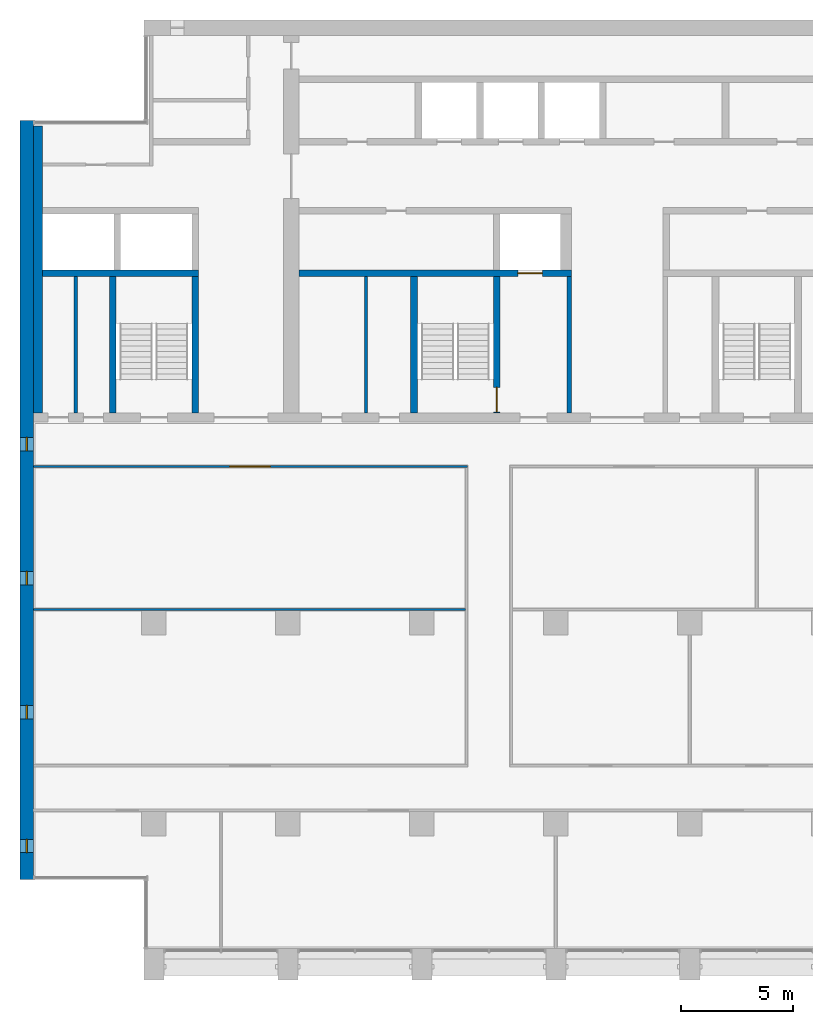
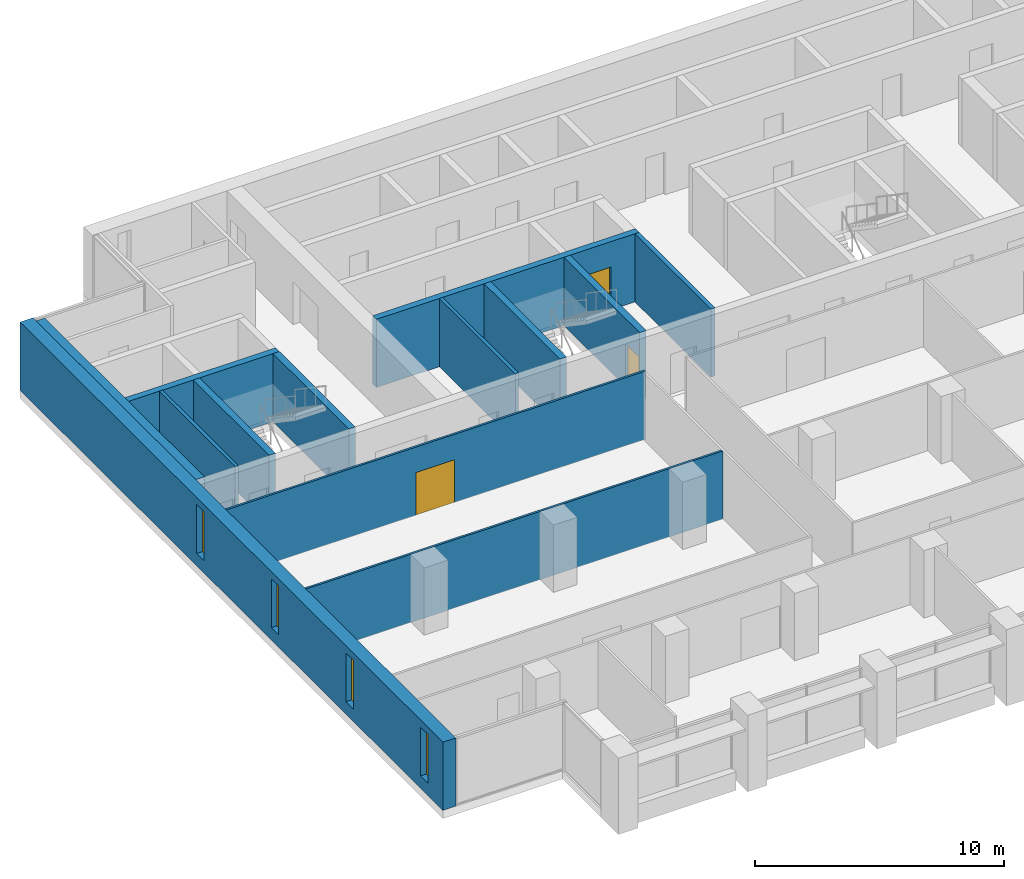
# One storey, part 8 of 17: 13 walls, 4 windows, 3 doors, 7 openings.
"""IFC4 building model written with IfcOpenShell, lengths in metres."""

from ifc_helpers import new_model, si_unit, direction, frame, frame_2d, origin, place, context, subcontext, project, spatial, rectangle, extrude, material, layer, layer_set, type_object, element, fill, save


model = new_model("IFC4")

# Units and contexts
model_context = context("Model", 3, precision=1e-05, world=origin(), true_north=direction((0.0, 1.0)))
body_context = subcontext(model_context, "Body", "Model", "MODEL_VIEW")
ifc_project = project(units=[si_unit("LENGTHUNIT", "METRE"), si_unit("AREAUNIT", "SQUARE_METRE"), si_unit("VOLUMEUNIT", "CUBIC_METRE"), si_unit("PLANEANGLEUNIT", "RADIAN"), si_unit("MASSUNIT", "GRAM", prefix="KILO")], contexts=[model_context])

# Site, building, storey
site_placement = place(None, origin())
site = spatial("IfcSite", under=ifc_project, at=site_placement, CompositionType="ELEMENT")
building_placement = place(site_placement, origin())
building = spatial("IfcBuilding", under=site, at=building_placement, Name="Calvaro Tower", CompositionType="ELEMENT")
storey_placement = place(building_placement, frame((0.0, 0.0, 189.25)))
storey = spatial("IfcBuildingStorey", under=building, at=storey_placement, Name="L47", CompositionType="ELEMENT", Elevation=189.25)

# Walls
ifc_material_1 = material(Name="Blockwork partition", Category="masonry")
ifc_layer_1 = layer(ifc_material_1, 0.14990234375)
ifc_layer_set_1 = layer_set([ifc_layer_1], Name="Blockwork partition")
wall_type_1 = type_object("IfcWallType", Name="Core partition 150 EI 60", PredefinedType="PARTITIONING", material=ifc_layer_set_1)
wall_1_placement = place(storey_placement, frame((8.5, 28.39990234375, 0.0), z_axis=(0.0, 0.0, 1.0), x_axis=(0.0, 1.0, 0.0)))
element("IfcWall", 1, at=wall_1_placement, inside=storey, type_object=wall_type_1, Name="Core partition", PredefinedType="PARTITIONING", context=body_context, shape_type="SweptSolid", body=[
    extrude(rectangle(XDim=6.10009765625, YDim=0.14990234375, at=frame_2d((3.050048828125, 0.0))), origin(), (0.0, 0.0, 1.0), 3.35009765625),
])
ifc_material_2 = material(Name="Blockwork partition", Category="masonry")
ifc_layer_2 = layer(ifc_material_2, 0.14990234375)
ifc_layer_set_2 = layer_set([ifc_layer_2], Name="Blockwork partition")
wall_type_2 = type_object("IfcWallType", Name="Core partition 150 REI 120", PredefinedType="PARTITIONING", material=ifc_layer_set_2)
wall_2_placement = place(storey_placement, frame((21.5, 28.39990234375, 0.0), z_axis=(0.0, 0.0, 1.0), x_axis=(0.0, 1.0, 0.0)))
element("IfcWall", 2, at=wall_2_placement, inside=storey, type_object=wall_type_2, Name="Core partition", PredefinedType="PARTITIONING", context=body_context, shape_type="SweptSolid", body=[
    extrude(rectangle(XDim=6.10009765625, YDim=0.14990234375, at=frame_2d((3.050048828125, 0.0))), origin(), (0.0, 0.0, 1.0), 3.35009765625),
])
ifc_material_3 = material(Name="Blockwork partition", Category="masonry")
ifc_layer_3 = layer(ifc_material_3, 0.199951171875)
ifc_layer_set_3 = layer_set([ifc_layer_3], Name="Blockwork partition")
wall_type_3 = type_object("IfcWallType", Name="Core partition 200 REI 120", PredefinedType="PARTITIONING", material=ifc_layer_set_3)
wall_3_placement = place(storey_placement, frame((30.60009765625, 28.39990234375, 0.0), z_axis=(0.0, 0.0, 1.0), x_axis=(0.0, 1.0, 0.0)))
element("IfcWall", 3, at=wall_3_placement, inside=storey, type_object=wall_type_3, Name="Core partition", PredefinedType="PARTITIONING", context=body_context, shape_type="SweptSolid", body=[
    extrude(rectangle(XDim=6.10009765625, YDim=0.199951171875, at=frame_2d((3.050048828125, 0.0))), origin(), (0.0, 0.0, 1.0), 3.35009765625),
])
ifc_material_4 = material(Name="Concrete C50/60", Category="concrete")
ifc_layer_4 = layer(ifc_material_4, 0.300048828125)
ifc_layer_set_4 = layer_set([ifc_layer_4], Name="Concrete C50/60")
wall_type_4 = type_object("IfcWallType", Name="Core wall C50/60 300", PredefinedType="SHEAR", material=ifc_layer_set_4)
for number, where, z_axis, x_axis, name in (
    (4, (10.14990234375, 28.39990234375, 0.0), (0.0, 0.0, 1.0), (0.0, 1.0, 0.0), "Core wall, stair enclosure"),
    (5, (13.85009765625, 28.39990234375, 0.0), (0.0, 0.0, 1.0), (0.0, 1.0, 0.0), "Core wall, stair enclosure"),
    (6, (23.64990234375, 28.39990234375, 0.0), (0.0, 0.0, 1.0), (0.0, 1.0, 0.0), "Core wall, stair enclosure"),
):
    element("IfcWall", number, at=place(storey_placement, frame(where, z_axis=z_axis, x_axis=x_axis)), inside=storey, type_object=wall_type_4, Name=name, PredefinedType="SHEAR", context=body_context, shape_type="SweptSolid", body=[
        extrude(rectangle(XDim=6.10009765625, YDim=0.300048828125, at=frame_2d((3.050048828125, 0.0))), origin(), (0.0, 0.0, 1.0), 3.35009765625),
    ])

# Wall, opening, door
wall_4_placement = place(storey_placement, frame((27.35009765625, 28.39990234375, 0.0), z_axis=(0.0, 0.0, 1.0), x_axis=(0.0, 1.0, 0.0)))
wall_4 = element("IfcWall", 7, at=wall_4_placement, inside=storey, type_object=wall_type_4, Name="Core wall, stair enclosure", PredefinedType="SHEAR", context=body_context, shape_type="SweptSolid", body=[
    extrude(rectangle(XDim=6.10009765625, YDim=0.300048828125, at=frame_2d((3.050048828125, 0.0))), origin(), (0.0, 0.0, 1.0), 3.35009765625),
])
opening_1_placement = place(wall_4_placement, frame((0.050048828125, 0.0, 0.0)))
opening_1 = element("IfcOpeningElement", 8, at=opening_1_placement, cuts=wall_4, Name="Opening FD11D", PredefinedType="OPENING", context=body_context, shape_type="SweptSolid", body=[
    extrude(rectangle(XDim=1.10009765625, YDim=2.10009765625, at=frame_2d((0.550048828125, 1.050048828125))), frame((0.0, 0.159912109375, 0.0), z_axis=(0.0, -1.0, 0.0), x_axis=(1.0, 0.0, 0.0)), (0.0, 0.0, 1.0), 0.320068359375),
])
ifc_material_5 = material(Name="Steel door set", Category="steel")
door_type_1 = type_object("IfcDoorType", Name="Fire door 1100 FD30S", OperationType="SINGLE_SWING_LEFT", PredefinedType="DOOR", material=ifc_material_5)
door_1_placement = place(opening_1_placement, origin())
door_1 = element("IfcDoor", 9, at=door_1_placement, inside=storey, type_object=door_type_1, Name="Fire door", OperationType="SINGLE_SWING_LEFT", OverallHeight=2.10009765625, OverallWidth=1.10009765625, PredefinedType="DOOR", context=body_context, shape_type="SweptSolid", body=[
    extrude(rectangle(XDim=1.10009765625, YDim=2.10009765625, at=frame_2d((0.550048828125, 1.050048828125))), frame((0.0, 0.02490234375, 0.0), z_axis=(0.0, -1.0, 0.0), x_axis=(1.0, 0.0, 0.0)), (0.0, 0.0, 1.0), 0.050048828125),
])
fill(opening_1, door_1)

# Wall
wall_5_placement = place(storey_placement, frame((7.0, 34.64990234375, 0.0), z_axis=(0.0, 0.0, 1.0), x_axis=(1.0, 0.0, 0.0)))
element("IfcWall", 10, at=wall_5_placement, inside=storey, type_object=wall_type_4, Name="Core wall, lift shaft", PredefinedType="SHEAR", context=body_context, shape_type="SweptSolid", body=[
    extrude(rectangle(XDim=7.0, YDim=0.300048828125, at=frame_2d((3.5, 0.0))), origin(), (0.0, 0.0, 1.0), 3.35009765625),
])

# Wall, opening, door
wall_6_placement = place(storey_placement, frame((18.5, 34.64990234375, 0.0), z_axis=(0.0, 0.0, 1.0), x_axis=(1.0, 0.0, 0.0)))
wall_6 = element("IfcWall", 11, at=wall_6_placement, inside=storey, type_object=wall_type_4, Name="Core wall, lift shaft", PredefinedType="SHEAR", context=body_context, shape_type="SweptSolid", body=[
    extrude(rectangle(XDim=12.199951171875, YDim=0.300048828125, at=frame_2d((6.10009765625, 0.0))), origin(), (0.0, 0.0, 1.0), 3.35009765625),
])
opening_2_placement = place(wall_6_placement, frame((9.800048828125, 0.0, 0.0)))
opening_2 = element("IfcOpeningElement", 12, at=opening_2_placement, cuts=wall_6, Name="Opening FF1", PredefinedType="OPENING", context=body_context, shape_type="SweptSolid", body=[
    extrude(rectangle(XDim=1.10009765625, YDim=2.10009765625, at=frame_2d((0.550048828125, 1.050048828125))), frame((0.0, 0.159912109375, 0.0), z_axis=(0.0, -1.0, 0.0), x_axis=(1.0, 0.0, 0.0)), (0.0, 0.0, 1.0), 0.320068359375),
])
ifc_material_6 = material(Name="Stainless steel", Category="steel")
door_type_2 = type_object("IfcDoorType", Name="Landing door 1100 E 60", OperationType="SLIDING_TO_LEFT", PredefinedType="DOOR", material=ifc_material_6)
door_2_placement = place(opening_2_placement, origin())
door_2 = element("IfcDoor", 13, at=door_2_placement, inside=storey, type_object=door_type_2, Name="Landing door FF1", OperationType="SLIDING_TO_LEFT", OverallHeight=2.10009765625, OverallWidth=1.10009765625, PredefinedType="DOOR", context=body_context, shape_type="SweptSolid", body=[
    extrude(rectangle(XDim=1.10009765625, YDim=2.10009765625, at=frame_2d((0.550048828125, 1.050048828125))), frame((0.0, 0.02490234375, 0.0), z_axis=(0.0, -1.0, 0.0), x_axis=(1.0, 0.0, 0.0)), (0.0, 0.0, 1.0), 0.050048828125),
])
fill(opening_2, door_2)

# Wall
ifc_material_7 = material(Name="Concrete C50/60", Category="concrete")
ifc_layer_5 = layer(ifc_material_7, 0.39990234375)
ifc_layer_set_5 = layer_set([ifc_layer_5], Name="Concrete C50/60")
wall_type_5 = type_object("IfcWallType", Name="Core wall C50/60 400", PredefinedType="SHEAR", material=ifc_layer_set_5)
wall_7_placement = place(storey_placement, frame((6.800048828125, 28.39990234375, 0.0), z_axis=(0.0, 0.0, 1.0), x_axis=(0.0, 1.0, 0.0)))
element("IfcWall", 14, at=wall_7_placement, inside=storey, type_object=wall_type_5, Name="Core wall, boundary", PredefinedType="SHEAR", context=body_context, shape_type="SweptSolid", body=[
    extrude(rectangle(XDim=12.85009765625, YDim=0.39990234375, at=frame_2d((6.425048828125, 0.0))), origin(), (0.0, 0.0, 1.0), 3.35009765625),
])

# Wall, openings, windows
ifc_material_8 = material(Name="Concrete C50/60", Category="concrete")
ifc_layer_6 = layer(ifc_material_8, 0.60009765625)
ifc_layer_set_6 = layer_set([ifc_layer_6], Name="Concrete C50/60")
wall_type_6 = type_object("IfcWallType", Name="End wall 600 C50/60", PredefinedType="SHEAR", material=ifc_layer_set_6)
wall_8_placement = place(storey_placement, frame((6.300048828125, 7.5, 0.0), z_axis=(0.0, 0.0, 1.0), x_axis=(0.0, 1.0, 0.0)))
wall_8 = element("IfcWall", 15, at=wall_8_placement, inside=storey, type_object=wall_type_6, Name="End shear wall", PredefinedType="SHEAR", context=body_context, shape_type="SweptSolid", body=[
    extrude(rectangle(XDim=34.0, YDim=0.60009765625, at=frame_2d((17.0, 0.0))), origin(), (0.0, 0.0, 1.0), 3.35009765625),
])
opening_3_placement = place(wall_8_placement, frame((1.199951171875, 0.0, 0.60009765625)))
opening_3 = element("IfcOpeningElement", 16, at=opening_3_placement, cuts=wall_8, Name="Opening WW01", PredefinedType="OPENING", context=body_context, shape_type="SweptSolid", body=[
    extrude(rectangle(XDim=0.60009765625, YDim=2.39990234375, at=frame_2d((0.300048828125, 1.199951171875))), frame((0.0, 0.31005859375, 0.0), z_axis=(0.0, -1.0, 0.0), x_axis=(1.0, 0.0, 0.0)), (0.0, 0.0, 1.0), 0.6201171875),
])
opening_4_placement = place(wall_8_placement, frame((7.199951171875, 0.0, 0.60009765625)))
opening_4 = element("IfcOpeningElement", 17, at=opening_4_placement, cuts=wall_8, Name="Opening WW02", PredefinedType="OPENING", context=body_context, shape_type="SweptSolid", body=[
    extrude(rectangle(XDim=0.60009765625, YDim=2.39990234375, at=frame_2d((0.300048828125, 1.199951171875))), frame((0.0, 0.31005859375, 0.0), z_axis=(0.0, -1.0, 0.0), x_axis=(1.0, 0.0, 0.0)), (0.0, 0.0, 1.0), 0.6201171875),
])
opening_5_placement = place(wall_8_placement, frame((13.199951171875, 0.0, 0.60009765625)))
opening_5 = element("IfcOpeningElement", 18, at=opening_5_placement, cuts=wall_8, Name="Opening WW03", PredefinedType="OPENING", context=body_context, shape_type="SweptSolid", body=[
    extrude(rectangle(XDim=0.60009765625, YDim=2.39990234375, at=frame_2d((0.300048828125, 1.199951171875))), frame((0.0, 0.31005859375, 0.0), z_axis=(0.0, -1.0, 0.0), x_axis=(1.0, 0.0, 0.0)), (0.0, 0.0, 1.0), 0.6201171875),
])
opening_6_placement = place(wall_8_placement, frame((19.199951171875, 0.0, 0.60009765625)))
opening_6 = element("IfcOpeningElement", 19, at=opening_6_placement, cuts=wall_8, Name="Opening WW04", PredefinedType="OPENING", context=body_context, shape_type="SweptSolid", body=[
    extrude(rectangle(XDim=0.60009765625, YDim=2.39990234375, at=frame_2d((0.300048828125, 1.199951171875))), frame((0.0, 0.31005859375, 0.0), z_axis=(0.0, -1.0, 0.0), x_axis=(1.0, 0.0, 0.0)), (0.0, 0.0, 1.0), 0.6201171875),
])
ifc_material_9 = material(Name="Glass", Category="glass")
window_type = type_object("IfcWindowType", Name="Slit window 600 x 2400", PartitioningType="SINGLE_PANEL", PredefinedType="WINDOW", material=ifc_material_9)
window_1_placement = place(opening_3_placement, origin())
window_1 = element("IfcWindow", 20, at=window_1_placement, inside=storey, type_object=window_type, Name="Window WW01", OverallHeight=2.39990234375, OverallWidth=0.60009765625, PartitioningType="SINGLE_PANEL", PredefinedType="WINDOW", context=body_context, shape_type="SweptSolid", body=[
    extrude(rectangle(XDim=0.60009765625, YDim=2.39990234375, at=frame_2d((0.300048828125, 1.199951171875))), frame((0.0, 0.030029296875, 0.0), z_axis=(0.0, -1.0, 0.0), x_axis=(1.0, 0.0, 0.0)), (0.0, 0.0, 1.0), 0.06005859375),
])
fill(opening_3, window_1)
window_2_placement = place(opening_4_placement, origin())
window_2 = element("IfcWindow", 21, at=window_2_placement, inside=storey, type_object=window_type, Name="Window WW02", OverallHeight=2.39990234375, OverallWidth=0.60009765625, PartitioningType="SINGLE_PANEL", PredefinedType="WINDOW", context=body_context, shape_type="SweptSolid", body=[
    extrude(rectangle(XDim=0.60009765625, YDim=2.39990234375, at=frame_2d((0.300048828125, 1.199951171875))), frame((0.0, 0.030029296875, 0.0), z_axis=(0.0, -1.0, 0.0), x_axis=(1.0, 0.0, 0.0)), (0.0, 0.0, 1.0), 0.06005859375),
])
fill(opening_4, window_2)
window_3_placement = place(opening_5_placement, origin())
window_3 = element("IfcWindow", 22, at=window_3_placement, inside=storey, type_object=window_type, Name="Window WW03", OverallHeight=2.39990234375, OverallWidth=0.60009765625, PartitioningType="SINGLE_PANEL", PredefinedType="WINDOW", context=body_context, shape_type="SweptSolid", body=[
    extrude(rectangle(XDim=0.60009765625, YDim=2.39990234375, at=frame_2d((0.300048828125, 1.199951171875))), frame((0.0, 0.030029296875, 0.0), z_axis=(0.0, -1.0, 0.0), x_axis=(1.0, 0.0, 0.0)), (0.0, 0.0, 1.0), 0.06005859375),
])
fill(opening_5, window_3)
window_4_placement = place(opening_6_placement, origin())
window_4 = element("IfcWindow", 23, at=window_4_placement, inside=storey, type_object=window_type, Name="Window WW04", OverallHeight=2.39990234375, OverallWidth=0.60009765625, PartitioningType="SINGLE_PANEL", PredefinedType="WINDOW", context=body_context, shape_type="SweptSolid", body=[
    extrude(rectangle(XDim=0.60009765625, YDim=2.39990234375, at=frame_2d((0.300048828125, 1.199951171875))), frame((0.0, 0.030029296875, 0.0), z_axis=(0.0, -1.0, 0.0), x_axis=(1.0, 0.0, 0.0)), (0.0, 0.0, 1.0), 0.06005859375),
])
fill(opening_6, window_4)

# Wall
ifc_material_10 = material(Name="Plasterboard on steel studs", Category="steel")
ifc_layer_7 = layer(ifc_material_10, 0.10009765625)
ifc_layer_set_7 = layer_set([ifc_layer_7], Name="Plasterboard on steel studs")
wall_type_7 = type_object("IfcWallType", Name="Partition 100", PredefinedType="PARTITIONING", material=ifc_layer_set_7)
wall_9_placement = place(storey_placement, frame((6.60009765625, 19.60009765625, 0.0), z_axis=(0.0, 0.0, 1.0), x_axis=(1.0, 0.0, 0.0)))
element("IfcWall", 24, at=wall_9_placement, inside=storey, type_object=wall_type_7, Name="Partition T27.W005", PredefinedType="PARTITIONING", context=body_context, shape_type="SweptSolid", body=[
    extrude(rectangle(XDim=19.349853515625, YDim=0.10009765625, at=frame_2d((9.6748046875, 0.0))), origin(), (0.0, 0.0, 1.0), 3.35009765625),
])

# Wall, opening, door
wall_10_placement = place(storey_placement, frame((6.60009765625, 26.0, 0.0), z_axis=(0.0, 0.0, 1.0), x_axis=(1.0, 0.0, 0.0)))
wall_10 = element("IfcWall", 25, at=wall_10_placement, inside=storey, type_object=wall_type_7, Name="Partition T27.W008", PredefinedType="PARTITIONING", context=body_context, shape_type="SweptSolid", body=[
    extrude(rectangle(XDim=19.449951171875, YDim=0.10009765625, at=frame_2d((9.72509765625, 0.0))), origin(), (0.0, 0.0, 1.0), 3.35009765625),
])
opening_7_placement = place(wall_10_placement, frame((8.800048828125, 0.0, 0.0)))
opening_7 = element("IfcOpeningElement", 26, at=opening_7_placement, cuts=wall_10, Name="Opening T27.010", PredefinedType="OPENING", context=body_context, shape_type="SweptSolid", body=[
    extrude(rectangle(XDim=1.800048828125, YDim=2.10009765625, at=frame_2d((0.89990234375, 1.050048828125))), frame((0.0, 0.06005859375, 0.0), z_axis=(0.0, -1.0, 0.0), x_axis=(1.0, 0.0, 0.0)), (0.0, 0.0, 1.0), 0.1201171875),
])
ifc_material_11 = material(Name="Timber", Category="wood")
door_type_3 = type_object("IfcDoorType", Name="Internal double door 1800 x 2100", OperationType="DOUBLE_DOOR_SINGLE_SWING", PredefinedType="DOOR", material=ifc_material_11)
door_3_placement = place(opening_7_placement, origin())
door_3 = element("IfcDoor", 27, at=door_3_placement, inside=storey, type_object=door_type_3, Name="Door T27.010", OperationType="DOUBLE_DOOR_SINGLE_SWING", OverallHeight=2.10009765625, OverallWidth=1.800048828125, PredefinedType="DOOR", context=body_context, shape_type="SweptSolid", body=[
    extrude(rectangle(XDim=1.800048828125, YDim=2.10009765625, at=frame_2d((0.89990234375, 1.050048828125))), frame((0.0, 0.02490234375, 0.0), z_axis=(0.0, -1.0, 0.0), x_axis=(1.0, 0.0, 0.0)), (0.0, 0.0, 1.0), 0.050048828125),
])
fill(opening_7, door_3)

save(model, "model.ifc")
